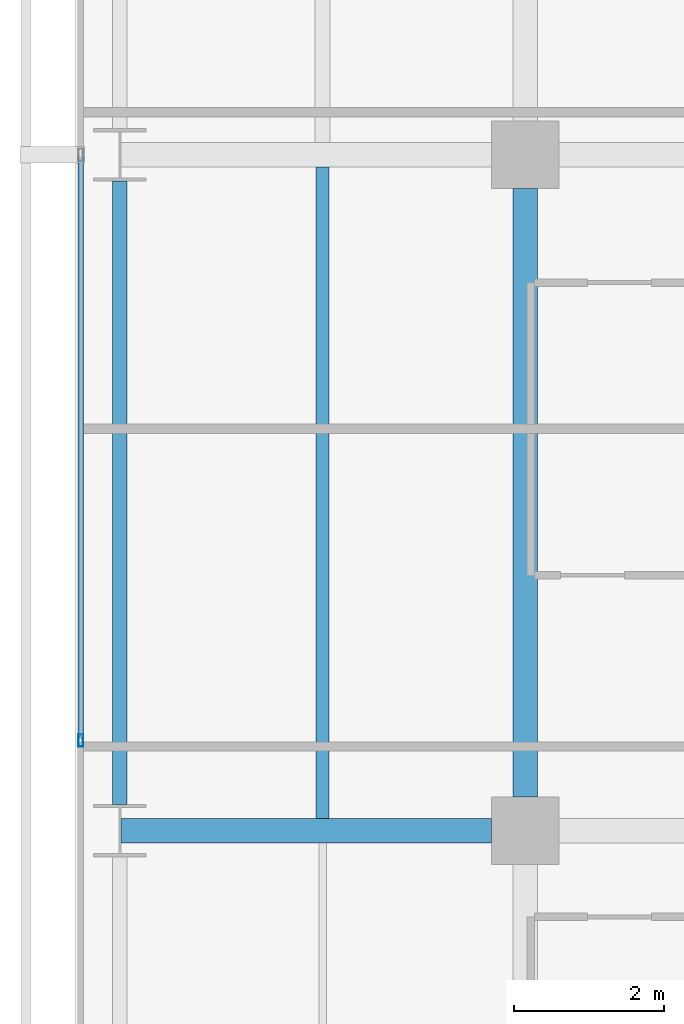
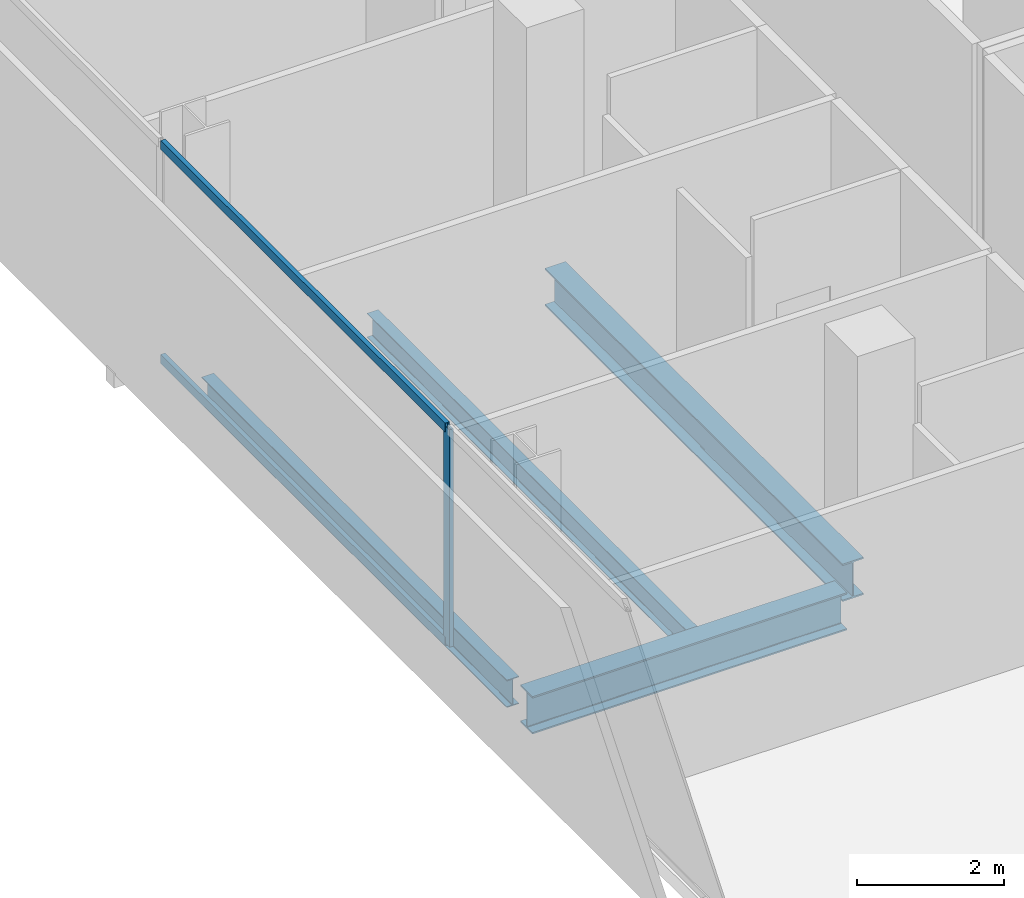
# One storey, part 10 of 40: 4 beams, 3 members, 1 element without a shape of its own.
"""IFC4 building model written with IfcOpenShell, lengths in metres."""

import ifcopenshell
import ifcopenshell.guid

model = None  # the IFC model being written
_history = None  # IfcOwnerHistory: only IFC2X3 demands one
_inside = {}  # id of a spatial element -> (the spatial element, [elements in it])
_under = {}  # id of a project, library or spatial element -> (it, [spatial elements below it])
_declared = {}  # id of a project -> (the project, [libraries it declares])
_typed = {}  # id of a type object -> (the type object, [elements of that type])
_made_of = {}  # id of a material, layer set ... -> (it, [elements and type objects made of it])


def new_model(schema):
    """Start an empty IFC model of exactly this schema.

    Asked for "IFC4X3", IfcOpenShell would pick the latest addendum, in which some entities
    have other attributes; the version numbers below select the first issue.
    IFC2X3 requires an IfcOwnerHistory on every rooted entity: one is made here for all.
    """
    global model, _history
    if schema == "IFC4X3":
        model = ifcopenshell.file(schema_version=(4, 3, 0, 0))
    else:
        model = ifcopenshell.file(schema=schema)
    _inside.clear()
    _under.clear()
    _declared.clear()
    _typed.clear()
    _made_of.clear()
    _history = None
    if model.schema == "IFC2X3":
        org = make("IfcOrganization", Name="unknown")
        user = make(
            "IfcPersonAndOrganization",
            ThePerson=make("IfcPerson", FamilyName="unknown"),
            TheOrganization=org,
        )
        app = make(
            "IfcApplication",
            ApplicationDeveloper=org,
            Version="unknown",
            ApplicationFullName="unknown",
            ApplicationIdentifier="unknown",
        )
        _history = make(
            "IfcOwnerHistory",
            OwningUser=user,
            OwningApplication=app,
            ChangeAction="ADDED",
            CreationDate=0,
        )
    return model


def make(cls, **values):
    """One entity of the class cls with the attributes given. An attribute that is None is left unset."""
    return model.create_entity(
        cls, **{name: value for name, value in values.items() if value is not None}
    )


def rooted(cls, **values):
    """An entity with a GlobalId (a new one), such as an element, a storey or a relation."""
    return make(cls, GlobalId=ifcopenshell.guid.new(), OwnerHistory=_history, **values)


def si_unit(unit_type, name, prefix=None):
    """IfcSIUnit, for example si_unit("LENGTHUNIT", "METRE", prefix="MILLI")."""
    return make("IfcSIUnit", UnitType=unit_type, Prefix=prefix, Name=name)


def assignment(units):
    """IfcUnitAssignment: the units of a project."""
    return None if units is None else make("IfcUnitAssignment", Units=units)


def point(xyz):
    """IfcCartesianPoint."""
    return None if xyz is None else make("IfcCartesianPoint", Coordinates=xyz)


def direction(xyz):
    """IfcDirection."""
    return None if xyz is None else make("IfcDirection", DirectionRatios=xyz)


def frame(location, z_axis=None, x_axis=None):
    """IfcAxis2Placement3D, a coordinate frame: its origin and axes. An axis left out is left unset."""
    return make(
        "IfcAxis2Placement3D",
        Location=point(location),
        Axis=direction(z_axis),
        RefDirection=direction(x_axis),
    )


def frame_2d(location, x_axis=None):
    """IfcAxis2Placement2D, a coordinate frame in the plane: its origin and x axis."""
    return make(
        "IfcAxis2Placement2D", Location=point(location), RefDirection=direction(x_axis)
    )


def origin():
    """The frame at (0, 0, 0) with its axes left unset."""
    return frame((0.0, 0.0, 0.0))


def origin_2d():
    """The frame at (0, 0) in the plane with its x axis left unset."""
    return frame_2d((0.0, 0.0))


def place(relative_to, where):
    """IfcLocalPlacement: puts the frame where relative to a parent placement (None: the world)."""
    return make(
        "IfcLocalPlacement", PlacementRelTo=relative_to, RelativePlacement=where
    )


def context(
    kind, dimensions, precision=None, world=None, true_north=None, identifier=None
):
    """IfcGeometricRepresentationContext, for example the 3D "Model" context."""
    return make(
        "IfcGeometricRepresentationContext",
        ContextIdentifier=identifier,
        ContextType=kind,
        CoordinateSpaceDimension=dimensions,
        Precision=precision,
        WorldCoordinateSystem=world,
        TrueNorth=true_north,
    )


def subcontext(parent, identifier, kind, view, scale=None):
    """IfcGeometricRepresentationSubContext, for example "Body" below "Model"."""
    return make(
        "IfcGeometricRepresentationSubContext",
        ContextIdentifier=identifier,
        ContextType=kind,
        ParentContext=parent,
        TargetScale=scale,
        TargetView=view,
    )


def project(units=None, contexts=None):
    """IfcProject with its units and contexts."""
    return rooted(
        "IfcProject",
        Name="project",
        RepresentationContexts=contexts,
        UnitsInContext=assignment(units),
    )


def spatial(cls, under=None, at=None, **own):
    """A site, building, storey or space (cls), placed at a placement, below another one or the project."""
    s = rooted(cls, ObjectPlacement=at, **own)
    if under is not None:
        _under.setdefault(under.id(), (under, []))[1].append(s)
    return s


def profile(cls, at=None, kind="AREA", **sizes):
    """A parametric profile (cls). Its sizes go by their IFC names, for example OverallWidth=200.0."""
    return make(cls, ProfileType=kind, Position=at, **sizes)


def hollow_rectangle(**sizes):
    """IfcRectangleHollowProfileDef."""
    return profile("IfcRectangleHollowProfileDef", **sizes)


def i_section(**sizes):
    """IfcIShapeProfileDef."""
    return profile("IfcIShapeProfileDef", **sizes)


def extrude(swept, where, along, depth):
    """IfcExtrudedAreaSolid: the profile swept, set in the frame where, extruded along a direction by depth."""
    return make(
        "IfcExtrudedAreaSolid",
        SweptArea=swept,
        Position=where,
        ExtrudedDirection=direction(along),
        Depth=depth,
    )


def shape(context_of_items, identifier, shape_type, items):
    """IfcShapeRepresentation: the items that make up one representation, for example the "Body"."""
    return make(
        "IfcShapeRepresentation",
        ContextOfItems=context_of_items,
        RepresentationIdentifier=identifier,
        RepresentationType=shape_type,
        Items=items,
    )


def material(Name=None, Category=None):
    """IfcMaterial."""
    return make("IfcMaterial", Name=Name, Category=Category)


def layer(
    of_material, thickness, ventilated=None, Name=None, Category=None, Priority=None
):
    """IfcMaterialLayer: one layer of a wall or slab, of a material (None: an air gap)."""
    return make(
        "IfcMaterialLayer",
        Material=of_material,
        LayerThickness=thickness,
        IsVentilated=ventilated,
        Name=Name,
        Category=Category,
        Priority=Priority,
    )


def layer_set(layers, Name=None):
    """IfcMaterialLayerSet."""
    return make("IfcMaterialLayerSet", MaterialLayers=layers, LayerSetName=Name)


def material_profile(
    of_material, cross_section, Name=None, Category=None, Priority=None
):
    """IfcMaterialProfile: a cross section and its material."""
    return make(
        "IfcMaterialProfile",
        Name=Name,
        Material=of_material,
        Profile=cross_section,
        Priority=Priority,
        Category=Category,
    )


def profile_set(profiles, Name=None, composite=None):
    """IfcMaterialProfileSet."""
    return make(
        "IfcMaterialProfileSet",
        Name=Name,
        MaterialProfiles=profiles,
        CompositeProfile=composite,
    )


def made_of(thing, what):
    """Note that an element or type object is made of a material, layer set ...; save() writes the relation."""
    if what is not None:
        _made_of.setdefault(what.id(), (what, []))[1].append(thing)
    return thing


def type_object(cls, material=None, **own):
    """A type object (cls), such as IfcWallType, which elements share."""
    return made_of(rooted(cls, **own), material)


def element(
    cls,
    number,
    at=None,
    inside=None,
    cuts=None,
    type_object=None,
    material=None,
    context=None,
    identifier="Body",
    shape_type=None,
    held_by="IfcProductDefinitionShape",
    body=None,
    shapes=None,
    **own,
):
    """One element of the class cls, such as IfcWall. Its Tag is "e" and its number.

    at: its placement. inside: the storey or other place that contains it. cuts: it is an
    opening in that element (IfcRelVoidsElement). A single representation is given by context,
    identifier, shape_type and body (its items); several are given by shapes. held_by: the class
    of the entity that holds the representations. save() writes the other relations.
    """
    e = rooted(cls, Tag="e%d" % number, ObjectPlacement=at, **own)
    if body is not None:
        shapes = [shape(context, identifier, shape_type, body)]
    if shapes is not None:
        e.Representation = make(held_by, Representations=shapes)
    if inside is not None:
        _inside.setdefault(inside.id(), (inside, []))[1].append(e)
    if cuts is not None:
        rooted(
            "IfcRelVoidsElement", RelatingBuildingElement=cuts, RelatedOpeningElement=e
        )
    if type_object is not None:
        _typed.setdefault(type_object.id(), (type_object, []))[1].append(e)
    return made_of(e, material)


def aggregate(whole, parts):
    """IfcRelAggregates: a whole, such as a stair, and the parts it consists of."""
    return rooted("IfcRelAggregates", RelatingObject=whole, RelatedObjects=parts)


def save(model, path):
    """Write the relations noted so far, then the file.

    IfcRelAggregates (storeys below a building ...), IfcRelContainedInSpatialStructure (elements
    in a storey), IfcRelDefinesByType, IfcRelAssociatesMaterial and IfcRelDeclares: one each for
    every whole, place, type object, material and project.
    """
    for whole, parts in _under.values():
        aggregate(whole, parts)
    for where, things in _inside.values():
        rooted(
            "IfcRelContainedInSpatialStructure",
            RelatedElements=things,
            RelatingStructure=where,
        )
    for kind, things in _typed.values():
        rooted("IfcRelDefinesByType", RelatedObjects=things, RelatingType=kind)
    for what, things in _made_of.values():
        rooted("IfcRelAssociatesMaterial", RelatedObjects=things, RelatingMaterial=what)
    for by, libraries in _declared.values():
        rooted("IfcRelDeclares", RelatingContext=by, RelatedDefinitions=libraries)
    model.write(path)


model = new_model("IFC4")

# Units and contexts
model_context = context("Model", 3, precision=1e-05, world=origin(), true_north=direction((0.0, 1.0)))
body_context = subcontext(model_context, "Body", "Model", "MODEL_VIEW")
ifc_project = project(units=[si_unit("LENGTHUNIT", "METRE"), si_unit("AREAUNIT", "SQUARE_METRE"), si_unit("VOLUMEUNIT", "CUBIC_METRE"), si_unit("PLANEANGLEUNIT", "RADIAN"), si_unit("MASSUNIT", "GRAM", prefix="KILO")], contexts=[model_context])

# Site, building, storey
site_placement = place(None, origin())
site = spatial("IfcSite", under=ifc_project, at=site_placement, CompositionType="ELEMENT")
building_placement = place(site_placement, origin())
building = spatial("IfcBuilding", under=site, at=building_placement, Name="Maruvema Waterfront Hotel and Observation Tower", CompositionType="ELEMENT")
storey_placement = place(building_placement, frame((0.0, 0.0, 38.5)))
storey = spatial("IfcBuildingStorey", under=building, at=storey_placement, Name="L08", CompositionType="ELEMENT", Elevation=38.5)

# Curtain wall, members
ifc_material_1 = material(Name="Anodised bronze aluminium and solar-control low-E IGU", Category="aluminium")
ifc_layer = layer(ifc_material_1, 0.159912109375, Name="Zone 1 Bronze Inner Thermal Curtain Wall System CW-02")
ifc_layer_set = layer_set([ifc_layer], Name="Anodised bronze aluminium and solar-control low-E IGU")
curtain_wall_type = type_object("IfcCurtainWallType", Name="Zone 1 Bronze Inner Thermal Curtain Wall System CW-02", PredefinedType="USERDEFINED", material=ifc_layer_set)
curtain_wall_placement = place(storey_placement, origin())
curtain_wall = element("IfcCurtainWall", 1, at=curtain_wall_placement, inside=storey, type_object=curtain_wall_type, Name="L08 Curtain Wall CW-L08-W", ObjectType="UNITISED CURTAIN WALL", PredefinedType="USERDEFINED")
ifc_material_2 = material(Name="Anodised architectural bronze aluminium", Category="aluminium")
ifc_material_profile_1 = material_profile(ifc_material_2, hollow_rectangle(XDim=0.070068359375, YDim=0.14990234375, WallThickness=0.00390625, at=origin_2d()), Name="ALU-T70x150")
ifc_profile_set_1 = profile_set([ifc_material_profile_1], Name="Anodised architectural bronze aluminium")
member_type_1 = type_object("IfcMemberType", Name="Curtain Wall Horizontal Transom ALU-T70x150", PredefinedType="USERDEFINED", material=ifc_profile_set_1)
member_1_placement = place(storey_placement, frame((10.8798828125, 26.969970703125, 0.030029296875), z_axis=(0.0, -1.0, 0.0), x_axis=(1.0, 0.0, 0.0)))
member_1 = element("IfcMember", 2, at=member_1_placement, type_object=member_type_1, Name="CW-02 transom 4.1", ObjectType="TRANSOM", PredefinedType="USERDEFINED", context=body_context, shape_type="SweptSolid", body=[
    extrude(hollow_rectangle(XDim=0.070068359375, YDim=0.14990234375, WallThickness=0.00390625, at=origin_2d()), origin(), (0.0, 0.0, 1.0), 7.739990234375),
])
member_2_placement = place(storey_placement, frame((10.8798828125, 26.969970703125, 3.580078125), z_axis=(0.0, -1.0, 0.0), x_axis=(1.0, 0.0, 0.0)))
member_2 = element("IfcMember", 3, at=member_2_placement, type_object=member_type_1, Name="CW-02 transom 4.2", ObjectType="TRANSOM", PredefinedType="USERDEFINED", context=body_context, shape_type="SweptSolid", body=[
    extrude(hollow_rectangle(XDim=0.070068359375, YDim=0.14990234375, WallThickness=0.00390625, at=origin_2d()), origin(), (0.0, 0.0, 1.0), 7.739990234375),
])
ifc_material_3 = material(Name="Anodised architectural bronze aluminium", Category="aluminium")
ifc_material_profile_2 = material_profile(ifc_material_3, hollow_rectangle(XDim=0.06494140625, YDim=0.1650390625, WallThickness=0.00390625, at=origin_2d()), Name="ALU-M65x165")
ifc_profile_set_2 = profile_set([ifc_material_profile_2], Name="Anodised architectural bronze aluminium")
member_type_2 = type_object("IfcMemberType", Name="Curtain Wall Primary Mullion ALU-M65x165", PredefinedType="MULLION", material=ifc_profile_set_2)
member_3_placement = place(storey_placement, frame((10.8798828125, 19.199951171875, 0.0), z_axis=(0.0, 0.0, 1.0), x_axis=(1.0, 0.0, 0.0)))
member_3 = element("IfcMember", 4, at=member_3_placement, type_object=member_type_2, Name="CW-02 mullion 5", PredefinedType="MULLION", context=body_context, shape_type="SweptSolid", body=[
    extrude(hollow_rectangle(XDim=0.06494140625, YDim=0.1650390625, WallThickness=0.00390625, at=origin_2d()), origin(), (0.0, 0.0, 1.0), 3.610107421875),
])
aggregate(curtain_wall, [member_3, member_1, member_2])

# Beams
ifc_material_4 = material(Name="Steel ASTM A572 Grade 50", Category="steel")
ifc_material_profile_3 = material_profile(ifc_material_4, i_section(OverallWidth=0.18994140625, OverallDepth=0.45703125, WebThickness=0.009033203125, FlangeThickness=0.014404296875, FilletRadius=0.014892578125, at=origin_2d()), Name="W460x74.0")
ifc_profile_set_3 = profile_set([ifc_material_profile_3], Name="Steel ASTM A572 Grade 50")
beam_type_1 = type_object("IfcBeamType", Name="Perimeter Spandrel Beam W460x74.0", PredefinedType="SPANDREL", material=ifc_profile_set_3)
beam_1_placement = place(storey_placement, frame((11.39990234375, 18.35009765625, -0.468505859375), z_axis=(0.0, 1.0, 0.0), x_axis=(-1.0, 0.0, 0.0)))
element("IfcBeam", 5, at=beam_1_placement, inside=storey, type_object=beam_type_1, Name="L08 Floor Girder NS-02", PredefinedType="SPANDREL", context=body_context, shape_type="SweptSolid", body=[
    extrude(i_section(OverallWidth=0.18994140625, OverallDepth=0.45703125, WebThickness=0.009033203125, FlangeThickness=0.014404296875, FilletRadius=0.014892578125, at=origin_2d()), origin(), (0.0, 0.0, 1.0), 8.2998046875),
])
ifc_material_5 = material(Name="Steel ASTM A572 Grade 50", Category="steel")
ifc_material_profile_4 = material_profile(ifc_material_5, i_section(OverallWidth=0.326904296875, OverallDepth=0.6220703125, WebThickness=0.015380859375, FlangeThickness=0.0244140625, FilletRadius=0.01806640625, at=origin_2d()), Name="W610x195.0")
ifc_profile_set_4 = profile_set([ifc_material_profile_4], Name="Steel ASTM A572 Grade 50")
beam_type_2 = type_object("IfcBeamType", Name="Primary Floor Girder W610x195.0", PredefinedType="BEAM", material=ifc_profile_set_4)
beam_2_placement = place(storey_placement, frame((11.4140625, 18.0, -0.551025390625), z_axis=(1.0, 0.0, 0.0), x_axis=(0.0, 1.0, 0.0)))
element("IfcBeam", 6, at=beam_2_placement, inside=storey, type_object=beam_type_2, Name="L08 Floor Girder EW-13", PredefinedType="BEAM", context=body_context, shape_type="SweptSolid", body=[
    extrude(i_section(OverallWidth=0.326904296875, OverallDepth=0.6220703125, WebThickness=0.015380859375, FlangeThickness=0.0244140625, FilletRadius=0.01806640625, at=origin_2d()), origin(), (0.0, 0.0, 1.0), 4.93603515625),
])
beam_3_placement = place(storey_placement, frame((16.800048828125, 18.449951171875, -0.551025390625), z_axis=(0.0, 1.0, 0.0), x_axis=(-1.0, 0.0, 0.0)))
element("IfcBeam", 7, at=beam_3_placement, inside=storey, type_object=beam_type_2, Name="L08 Floor Girder NS-07", PredefinedType="BEAM", context=body_context, shape_type="SweptSolid", body=[
    extrude(i_section(OverallWidth=0.326904296875, OverallDepth=0.6220703125, WebThickness=0.015380859375, FlangeThickness=0.0244140625, FilletRadius=0.01806640625, at=origin_2d()), origin(), (0.0, 0.0, 1.0), 8.10009765625),
])
ifc_material_6 = material(Name="Steel ASTM A572 Grade 50", Category="steel")
ifc_material_profile_5 = material_profile(ifc_material_6, i_section(OverallWidth=0.177001953125, OverallDepth=0.403076171875, WebThickness=0.007568359375, FlangeThickness=0.010986328125, FilletRadius=0.014892578125, at=origin_2d()), Name="W410x53.0")
ifc_profile_set_5 = profile_set([ifc_material_profile_5], Name="Steel ASTM A572 Grade 50")
beam_type_3 = type_object("IfcBeamType", Name="Secondary Floor Joist W410x53.0", PredefinedType="JOIST", material=ifc_profile_set_5)
beam_4_placement = place(storey_placement, frame((14.10009765625, 18.16357421875, -0.44140625), z_axis=(0.0, 1.0, 0.0), x_axis=(-1.0, 0.0, 0.0)))
element("IfcBeam", 8, at=beam_4_placement, inside=storey, type_object=beam_type_3, Name="L08 Secondary Floor Joist JS-02", PredefinedType="JOIST", context=body_context, shape_type="SweptSolid", body=[
    extrude(i_section(OverallWidth=0.177001953125, OverallDepth=0.403076171875, WebThickness=0.007568359375, FlangeThickness=0.010986328125, FilletRadius=0.014892578125, at=origin_2d()), origin(), (0.0, 0.0, 1.0), 8.6728515625),
])

save(model, "model.ifc")
